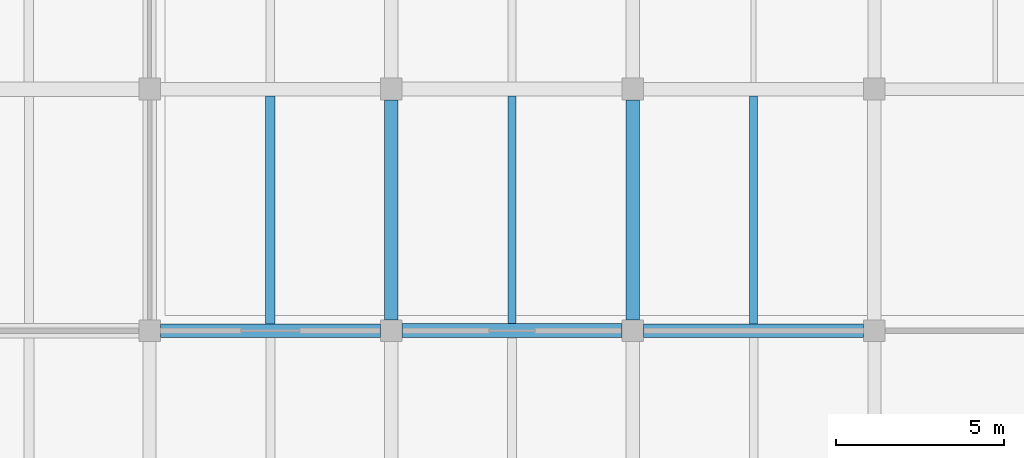
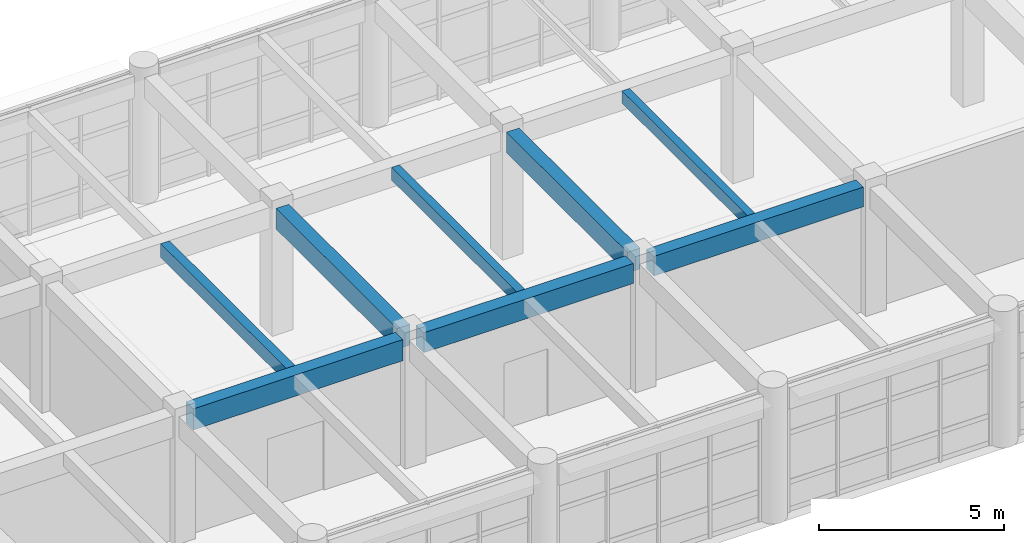
# One storey, part 27 of 171: 8 beams.
"""IFC4 building model written with IfcOpenShell, lengths in metres."""

from ifc_helpers import new_model, si_unit, direction, frame, origin, origin_2d, place, context, subcontext, project, spatial, rectangle, extrude, material, material_profile, profile_set, type_object, element, save


model = new_model("IFC4")

# Units and contexts
model_context = context("Model", 3, precision=1e-05, world=origin(), true_north=direction((0.0, 1.0)))
body_context = subcontext(model_context, "Body", "Model", "MODEL_VIEW")
ifc_project = project(units=[si_unit("LENGTHUNIT", "METRE"), si_unit("AREAUNIT", "SQUARE_METRE"), si_unit("VOLUMEUNIT", "CUBIC_METRE"), si_unit("PLANEANGLEUNIT", "RADIAN"), si_unit("MASSUNIT", "GRAM", prefix="KILO")], contexts=[model_context])

# Site, building, storey
site_placement = place(None, origin())
site = spatial("IfcSite", under=ifc_project, at=site_placement, CompositionType="ELEMENT")
building_placement = place(site_placement, origin())
building = spatial("IfcBuilding", under=site, at=building_placement, Name="Thalmaran Polytechnic", CompositionType="ELEMENT")
storey_placement = place(building_placement, frame((0.0, 0.0, 5.39990234375)))
storey = spatial("IfcBuildingStorey", under=building, at=storey_placement, Name="L01", CompositionType="ELEMENT", Elevation=5.39990234375)

# Beams
ifc_material = material(Name="Concrete C40/50", Category="concrete")
ifc_material_profile_1 = material_profile(ifc_material, rectangle(XDim=0.39990234375, YDim=0.699951171875, at=origin_2d()), Name="RC 400x700")
ifc_profile_set_1 = profile_set([ifc_material_profile_1], Name="Concrete C40/50")
beam_type_1 = type_object("IfcBeamType", Name="BM-RC05", PredefinedType="BEAM", material=ifc_profile_set_1)
beam_1_placement = place(storey_placement, frame((29.125, 57.60009765625, 3.860107421875), z_axis=(1.0, 0.0, 0.0), x_axis=(0.0, 1.0, 0.0)))
element("IfcBeam", 1, at=beam_1_placement, inside=storey, type_object=beam_type_1, Name="Grid Beam B05 L01 X(4,8)", PredefinedType="BEAM", context=body_context, shape_type="SweptSolid", body=[
    extrude(rectangle(XDim=0.39990234375, YDim=0.699951171875, at=origin_2d()), origin(), (0.0, 0.0, 1.0), 6.550048828125),
])
ifc_material_profile_2 = material_profile(ifc_material, rectangle(XDim=0.39990234375, YDim=0.64990234375, at=origin_2d()), Name="RC 400x650")
ifc_profile_set_2 = profile_set([ifc_material_profile_2], Name="Concrete C40/50")
beam_type_2 = type_object("IfcBeamType", Name="BM-RC06", PredefinedType="BEAM", material=ifc_profile_set_2)
beam_2_placement = place(storey_placement, frame((43.52490234375, 57.60009765625, 3.885009765625), z_axis=(1.0, 0.0, 0.0), x_axis=(0.0, 1.0, 0.0)))
element("IfcBeam", 2, at=beam_2_placement, inside=storey, type_object=beam_type_2, Name="Grid Beam B06 L01 X(6,8)", PredefinedType="BEAM", context=body_context, shape_type="SweptSolid", body=[
    extrude(rectangle(XDim=0.39990234375, YDim=0.64990234375, at=origin_2d()), origin(), (0.0, 0.0, 1.0), 6.550048828125),
])
ifc_material_profile_3 = material_profile(ifc_material, rectangle(XDim=0.280029296875, YDim=0.449951171875, at=origin_2d()), Name="RC 280x450")
ifc_profile_set_3 = profile_set([ifc_material_profile_3], Name="Concrete C40/50")
beam_type_3 = type_object("IfcBeamType", Name="BM-RC13", PredefinedType="JOIST", material=ifc_profile_set_3)
beam_3_placement = place(storey_placement, frame((32.39990234375, 57.800048828125, 3.985107421875), z_axis=(0.0, 1.0, 0.0), x_axis=(-1.0, 0.0, 0.0)))
element("IfcBeam", 3, at=beam_3_placement, inside=storey, type_object=beam_type_3, Name="Secondary Floor Rib RB03 L01 (4,8)", PredefinedType="JOIST", context=body_context, shape_type="SweptSolid", body=[
    extrude(rectangle(XDim=0.280029296875, YDim=0.449951171875, at=origin_2d()), origin(), (0.0, 0.0, 1.0), 6.800048828125),
])
ifc_material_profile_4 = material_profile(ifc_material, rectangle(XDim=0.419921875, YDim=0.659912109375, at=origin_2d()), Name="RC 420x660")
ifc_profile_set_4 = profile_set([ifc_material_profile_4], Name="Concrete C40/50")
beam_type_4 = type_object("IfcBeamType", Name="BM-ZB04", PredefinedType="BEAM", material=ifc_profile_set_4)
beam_4_placement = place(storey_placement, frame((36.324951171875, 57.60009765625, 3.880126953125), z_axis=(1.0, 0.0, 0.0), x_axis=(0.0, 1.0, 0.0)))
element("IfcBeam", 4, at=beam_4_placement, inside=storey, type_object=beam_type_4, Name="Grid Beam ZB04 L01 X(5,8)", PredefinedType="BEAM", context=body_context, shape_type="SweptSolid", body=[
    extrude(rectangle(XDim=0.419921875, YDim=0.659912109375, at=origin_2d()), origin(), (0.0, 0.0, 1.0), 6.550048828125),
])
ifc_material_profile_5 = material_profile(ifc_material, rectangle(XDim=0.39990234375, YDim=0.68505859375, at=origin_2d()), Name="RC 400x685")
ifc_profile_set_5 = profile_set([ifc_material_profile_5], Name="Concrete C40/50")
beam_type_5 = type_object("IfcBeamType", Name="BM-ZB07", PredefinedType="BEAM", material=ifc_profile_set_5)
for number, where, z_axis, x_axis, name in (
    (5, (36.0, 57.925048828125, 3.86767578125), (0.0, 1.0, 0.0), (-1.0, 0.0, 0.0), "Grid Beam ZB07 L01 Y(5,8)"),
    (6, (43.199951171875, 57.925048828125, 3.86767578125), (0.0, 1.0, 0.0), (-1.0, 0.0, 0.0), "Grid Beam ZB07 L01 Y(6,8)"),
):
    element("IfcBeam", number, at=place(storey_placement, frame(where, z_axis=z_axis, x_axis=x_axis)), inside=storey, type_object=beam_type_5, Name=name, PredefinedType="BEAM", context=body_context, shape_type="SweptSolid", body=[
        extrude(rectangle(XDim=0.39990234375, YDim=0.68505859375, at=origin_2d()), origin(), (0.0, 0.0, 1.0), 6.550048828125),
    ])
ifc_material_profile_6 = material_profile(ifc_material, rectangle(XDim=0.25, YDim=0.419921875, at=origin_2d()), Name="RC 250x420")
ifc_profile_set_6 = profile_set([ifc_material_profile_6], Name="Concrete C40/50")
beam_type_6 = type_object("IfcBeamType", Name="BM-ZJ03", PredefinedType="JOIST", material=ifc_profile_set_6)
beam_5_placement = place(storey_placement, frame((39.60009765625, 57.81005859375, 4.0), z_axis=(0.0, 1.0, 0.0), x_axis=(-1.0, 0.0, 0.0)))
element("IfcBeam", 7, at=beam_5_placement, inside=storey, type_object=beam_type_6, Name="Secondary Floor Rib ZJ03 L01 (5,8)", PredefinedType="JOIST", context=body_context, shape_type="SweptSolid", body=[
    extrude(rectangle(XDim=0.25, YDim=0.419921875, at=origin_2d()), origin(), (0.0, 0.0, 1.0), 6.780029296875),
])
ifc_material_profile_7 = material_profile(ifc_material, rectangle(XDim=0.239990234375, YDim=0.39990234375, at=origin_2d()), Name="RC 240x400")
ifc_profile_set_7 = profile_set([ifc_material_profile_7], Name="Concrete C40/50")
beam_type_7 = type_object("IfcBeamType", Name="BM-ZJ04", PredefinedType="JOIST", material=ifc_profile_set_7)
beam_6_placement = place(storey_placement, frame((46.800048828125, 57.800048828125, 4.010009765625), z_axis=(0.0, 1.0, 0.0), x_axis=(-1.0, 0.0, 0.0)))
element("IfcBeam", 8, at=beam_6_placement, inside=storey, type_object=beam_type_7, Name="Secondary Floor Rib ZJ04 L01 (6,8)", PredefinedType="JOIST", context=body_context, shape_type="SweptSolid", body=[
    extrude(rectangle(XDim=0.239990234375, YDim=0.39990234375, at=origin_2d()), origin(), (0.0, 0.0, 1.0), 6.800048828125),
])

save(model, "model.ifc")
